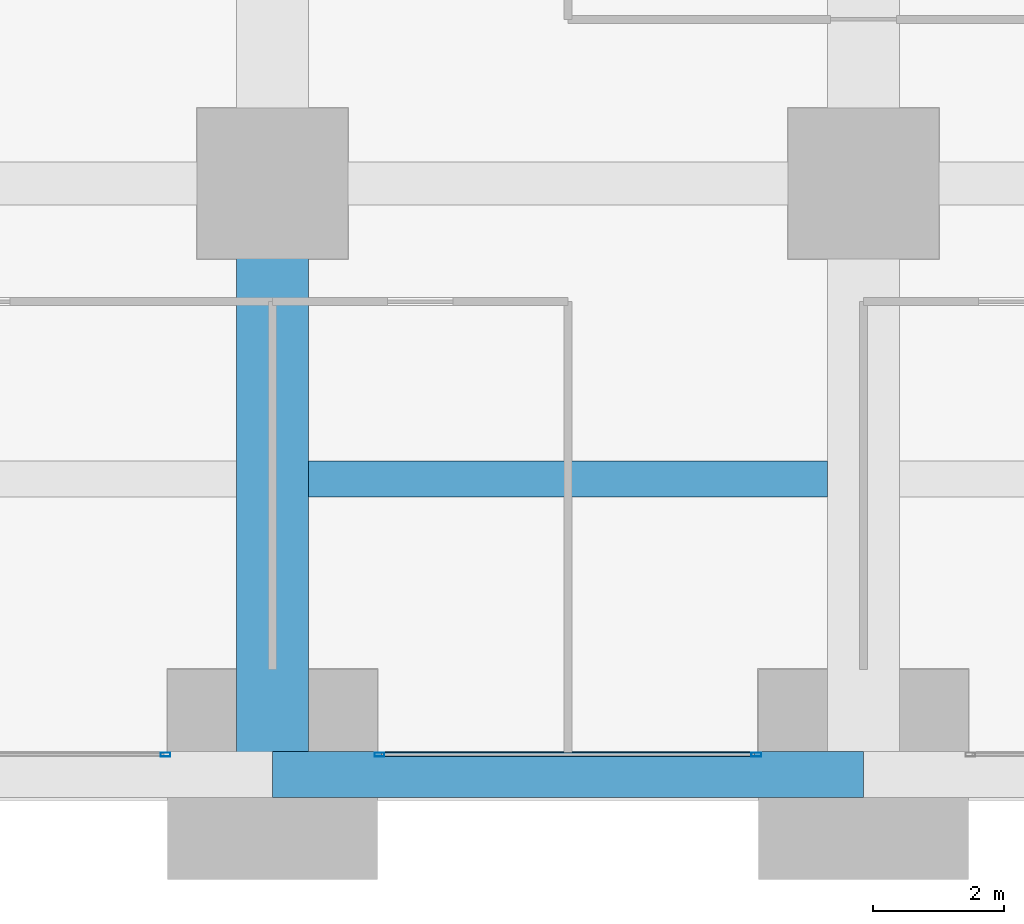
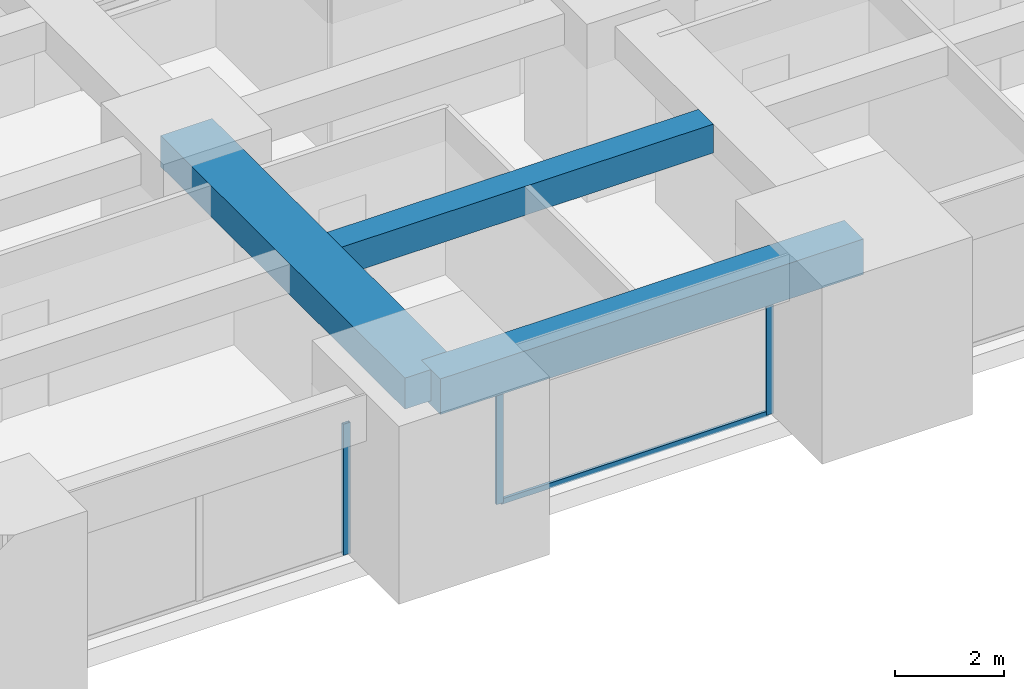
# One storey, part 6 of 50: 4 members, 3 beams, 2 elements without a shape of their own.
"""IFC4 building model written with IfcOpenShell, lengths in metres."""

from ifc_helpers import new_model, si_unit, direction, frame, origin, origin_2d, place, context, subcontext, project, spatial, rectangle, hollow_rectangle, extrude, material, material_profile, profile_set, type_object, element, aggregate, save


model = new_model("IFC4")

# Units and contexts
model_context = context("Model", 3, precision=1e-05, world=origin(), true_north=direction((0.0, 1.0)))
body_context = subcontext(model_context, "Body", "Model", "MODEL_VIEW")
ifc_project = project(units=[si_unit("LENGTHUNIT", "METRE"), si_unit("AREAUNIT", "SQUARE_METRE"), si_unit("VOLUMEUNIT", "CUBIC_METRE"), si_unit("PLANEANGLEUNIT", "RADIAN"), si_unit("MASSUNIT", "GRAM", prefix="KILO")], contexts=[model_context])

# Site, building, storey
site_placement = place(None, origin())
site = spatial("IfcSite", under=ifc_project, at=site_placement, CompositionType="ELEMENT")
building_placement = place(site_placement, origin())
building = spatial("IfcBuilding", under=site, at=building_placement, Name="Zorevar Civic Tower", CompositionType="ELEMENT")
storey_placement = place(building_placement, frame((0.0, 0.0, 85.0)))
storey = spatial("IfcBuildingStorey", under=building, at=storey_placement, Name="L20", CompositionType="ELEMENT", Elevation=85.0)

# Beams
ifc_material_1 = material(Name="Concrete C50/60", Category="concrete")
ifc_material_profile_1 = material_profile(ifc_material_1, rectangle(XDim=1.10009765625, YDim=0.699951171875, at=origin_2d()), Name="RC 1100x700")
ifc_profile_set_1 = profile_set([ifc_material_profile_1], Name="Concrete C50/60")
beam_type_1 = type_object("IfcBeamType", Name="Beam RC 1100x700", PredefinedType="BEAM", material=ifc_profile_set_1)
beam_1_placement = place(storey_placement, frame((18.0, 0.0, 3.39990234375), z_axis=(0.0, 1.0, 0.0), x_axis=(-1.0, 0.0, 0.0)))
element("IfcBeam", 1, at=beam_1_placement, inside=storey, type_object=beam_type_1, Name="Girder L21", PredefinedType="BEAM", context=body_context, shape_type="SweptSolid", body=[
    extrude(rectangle(XDim=1.10009765625, YDim=0.699951171875, at=origin_2d()), origin(), (0.0, 0.0, 1.0), 9.0),
])
ifc_material_2 = material(Name="Concrete C50/60", Category="concrete")
ifc_material_profile_2 = material_profile(ifc_material_2, rectangle(XDim=0.550048828125, YDim=0.64990234375, at=origin_2d()), Name="RC 550x650")
ifc_profile_set_2 = profile_set([ifc_material_profile_2], Name="Concrete C50/60")
beam_type_2 = type_object("IfcBeamType", Name="Beam RC 550x650", PredefinedType="BEAM", material=ifc_profile_set_2)
beam_2_placement = place(storey_placement, frame((18.550048828125, 4.5, 3.425048828125), z_axis=(1.0, 0.0, 0.0), x_axis=(0.0, 1.0, 0.0)))
element("IfcBeam", 2, at=beam_2_placement, inside=storey, type_object=beam_type_2, Name="Secondary beam L21", PredefinedType="BEAM", context=body_context, shape_type="SweptSolid", body=[
    extrude(rectangle(XDim=0.550048828125, YDim=0.64990234375, at=origin_2d()), origin(), (0.0, 0.0, 1.0), 7.89990234375),
])

# Curtain wall, member
ifc_material_3 = material(Name="Dark grey solar-control glass in black aluminium frame", Category="aluminium")
curtain_wall_type = type_object("IfcCurtainWallType", Name="Curtain wall CW3 mid zone", PredefinedType="NOTDEFINED", material=ifc_material_3)
curtain_wall_1_placement = place(storey_placement, origin())
curtain_wall_1 = element("IfcCurtainWall", 3, at=curtain_wall_1_placement, inside=storey, type_object=curtain_wall_type, Name="CW3 L20", PredefinedType="NOTDEFINED")
ifc_material_4 = material(Name="Aluminium, black anodised", Category="aluminium")
ifc_material_profile_3 = material_profile(ifc_material_4, hollow_rectangle(XDim=0.06005859375, YDim=0.14990234375, WallThickness=0.00390625, at=origin_2d()), Name="AL 150x60x4")
ifc_profile_set_3 = profile_set([ifc_material_profile_3], Name="Aluminium, black anodised")
member_type_1 = type_object("IfcMemberType", Name="CW3 mullion AL 150x60x4", PredefinedType="MULLION", material=ifc_profile_set_3)
member_1_placement = place(storey_placement, frame((16.3701171875, 0.300048828125, 0.0), z_axis=(0.0, 0.0, 1.0), x_axis=(0.0, 1.0, 0.0)))
member_1 = element("IfcMember", 4, at=member_1_placement, type_object=member_type_1, Name="CW3 mullion 3", PredefinedType="MULLION", context=body_context, shape_type="SweptSolid", body=[
    extrude(hollow_rectangle(XDim=0.06005859375, YDim=0.14990234375, WallThickness=0.00390625, at=origin_2d()), origin(), (0.0, 0.0, 1.0), 2.949951171875),
])
aggregate(curtain_wall_1, [member_1])

# Curtain wall, members
curtain_wall_2_placement = place(storey_placement, origin())
curtain_wall_2 = element("IfcCurtainWall", 5, at=curtain_wall_2_placement, inside=storey, type_object=curtain_wall_type, Name="CW3 L20", PredefinedType="NOTDEFINED")
member_2_placement = place(storey_placement, frame((19.6298828125, 0.300048828125, 0.0), z_axis=(0.0, 0.0, 1.0), x_axis=(0.0, 1.0, 0.0)))
member_2 = element("IfcMember", 6, at=member_2_placement, type_object=member_type_1, Name="CW3 mullion 1", PredefinedType="MULLION", context=body_context, shape_type="SweptSolid", body=[
    extrude(hollow_rectangle(XDim=0.06005859375, YDim=0.14990234375, WallThickness=0.00390625, at=origin_2d()), origin(), (0.0, 0.0, 1.0), 2.949951171875),
])
member_3_placement = place(storey_placement, frame((25.3701171875, 0.300048828125, 0.0), z_axis=(0.0, 0.0, 1.0), x_axis=(0.0, 1.0, 0.0)))
member_3 = element("IfcMember", 7, at=member_3_placement, type_object=member_type_1, Name="CW3 mullion 2", PredefinedType="MULLION", context=body_context, shape_type="SweptSolid", body=[
    extrude(hollow_rectangle(XDim=0.06005859375, YDim=0.14990234375, WallThickness=0.00390625, at=origin_2d()), origin(), (0.0, 0.0, 1.0), 2.949951171875),
])
ifc_material_5 = material(Name="Aluminium, black anodised", Category="aluminium")
ifc_material_profile_4 = material_profile(ifc_material_5, hollow_rectangle(XDim=0.06005859375, YDim=0.1201171875, WallThickness=0.0029296875, at=origin_2d()), Name="AL 120x60x3")
ifc_profile_set_4 = profile_set([ifc_material_profile_4], Name="Aluminium, black anodised")
member_type_2 = type_object("IfcMemberType", Name="CW3 transom AL 120x60x3", PredefinedType="USERDEFINED", material=ifc_profile_set_4)
member_4_placement = place(storey_placement, frame((19.659912109375, 0.300048828125, 0.030029296875), z_axis=(1.0, 0.0, 0.0), x_axis=(0.0, 1.0, 0.0)))
member_4 = element("IfcMember", 8, at=member_4_placement, type_object=member_type_2, Name="CW3 sill transom", ObjectType="TRANSOM", PredefinedType="USERDEFINED", context=body_context, shape_type="SweptSolid", body=[
    extrude(hollow_rectangle(XDim=0.06005859375, YDim=0.1201171875, WallThickness=0.0029296875, at=origin_2d()), origin(), (0.0, 0.0, 1.0), 5.68017578125),
])
aggregate(curtain_wall_2, [member_2, member_3, member_4])

# Beam
ifc_material_6 = material(Name="Concrete C50/60", Category="concrete")
ifc_material_profile_5 = material_profile(ifc_material_6, rectangle(XDim=0.699951171875, YDim=0.800048828125, at=origin_2d()), Name="RC 700x800")
ifc_profile_set_5 = profile_set([ifc_material_profile_5], Name="Concrete C50/60")
beam_type_3 = type_object("IfcBeamType", Name="Edge beam RC 700x800", PredefinedType="SPANDREL", material=ifc_profile_set_5)
beam_3_placement = place(storey_placement, frame((18.0, 0.0, 3.35009765625), z_axis=(1.0, 0.0, 0.0), x_axis=(0.0, 1.0, 0.0)))
element("IfcBeam", 9, at=beam_3_placement, inside=storey, type_object=beam_type_3, Name="Edge beam L21", PredefinedType="SPANDREL", context=body_context, shape_type="SweptSolid", body=[
    extrude(rectangle(XDim=0.699951171875, YDim=0.800048828125, at=origin_2d()), origin(), (0.0, 0.0, 1.0), 9.0),
])

save(model, "model.ifc")
